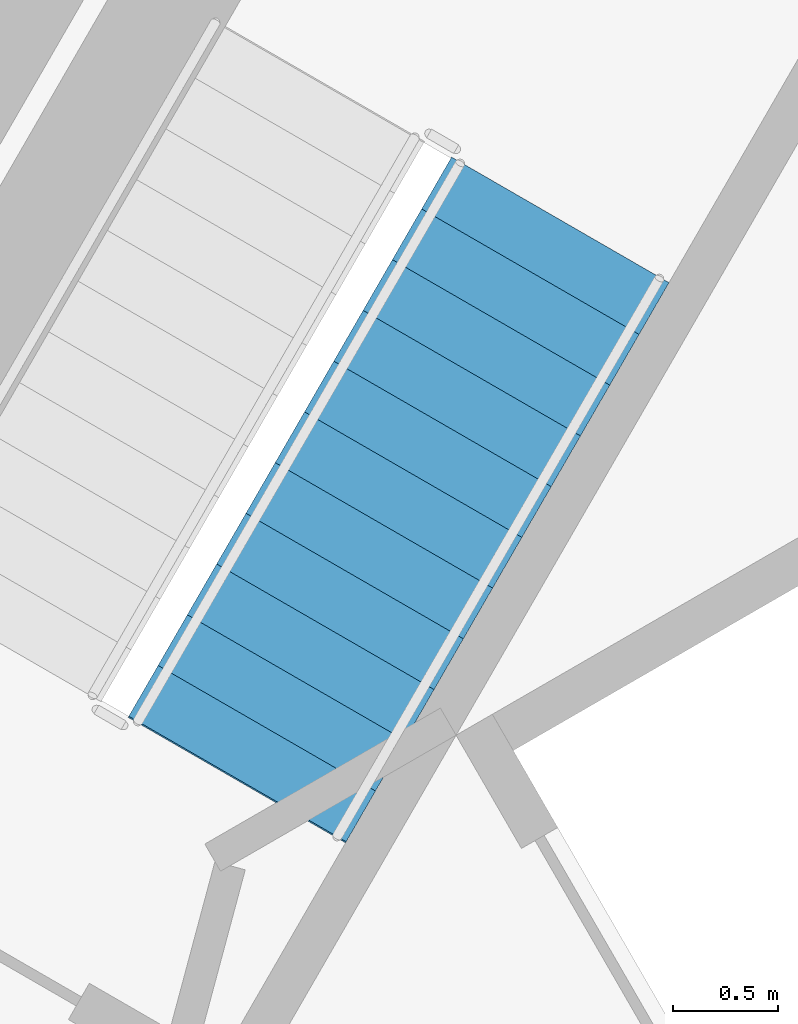
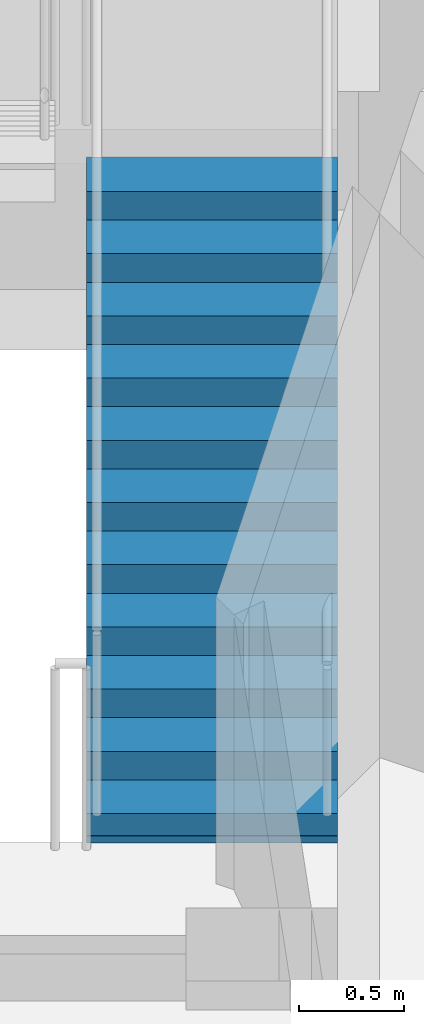
# One storey, part 9 of 13: 1 stair flight, 1 element without a shape of its own.
"""IFC4 building model written with IfcOpenShell, lengths in metres."""

import ifcopenshell
import ifcopenshell.guid

model = None  # the IFC model being written
_history = None  # IfcOwnerHistory: only IFC2X3 demands one
_inside = {}  # id of a spatial element -> (the spatial element, [elements in it])
_under = {}  # id of a project, library or spatial element -> (it, [spatial elements below it])
_declared = {}  # id of a project -> (the project, [libraries it declares])
_typed = {}  # id of a type object -> (the type object, [elements of that type])
_made_of = {}  # id of a material, layer set ... -> (it, [elements and type objects made of it])


def new_model(schema):
    """Start an empty IFC model of exactly this schema.

    Asked for "IFC4X3", IfcOpenShell would pick the latest addendum, in which some entities
    have other attributes; the version numbers below select the first issue.
    IFC2X3 requires an IfcOwnerHistory on every rooted entity: one is made here for all.
    """
    global model, _history
    if schema == "IFC4X3":
        model = ifcopenshell.file(schema_version=(4, 3, 0, 0))
    else:
        model = ifcopenshell.file(schema=schema)
    _inside.clear()
    _under.clear()
    _declared.clear()
    _typed.clear()
    _made_of.clear()
    _history = None
    if model.schema == "IFC2X3":
        org = make("IfcOrganization", Name="unknown")
        user = make(
            "IfcPersonAndOrganization",
            ThePerson=make("IfcPerson", FamilyName="unknown"),
            TheOrganization=org,
        )
        app = make(
            "IfcApplication",
            ApplicationDeveloper=org,
            Version="unknown",
            ApplicationFullName="unknown",
            ApplicationIdentifier="unknown",
        )
        _history = make(
            "IfcOwnerHistory",
            OwningUser=user,
            OwningApplication=app,
            ChangeAction="ADDED",
            CreationDate=0,
        )
    return model


def make(cls, **values):
    """One entity of the class cls with the attributes given. An attribute that is None is left unset."""
    return model.create_entity(
        cls, **{name: value for name, value in values.items() if value is not None}
    )


def rooted(cls, **values):
    """An entity with a GlobalId (a new one), such as an element, a storey or a relation."""
    return make(cls, GlobalId=ifcopenshell.guid.new(), OwnerHistory=_history, **values)


def si_unit(unit_type, name, prefix=None):
    """IfcSIUnit, for example si_unit("LENGTHUNIT", "METRE", prefix="MILLI")."""
    return make("IfcSIUnit", UnitType=unit_type, Prefix=prefix, Name=name)


def assignment(units):
    """IfcUnitAssignment: the units of a project."""
    return None if units is None else make("IfcUnitAssignment", Units=units)


def point(xyz):
    """IfcCartesianPoint."""
    return None if xyz is None else make("IfcCartesianPoint", Coordinates=xyz)


def direction(xyz):
    """IfcDirection."""
    return None if xyz is None else make("IfcDirection", DirectionRatios=xyz)


def frame(location, z_axis=None, x_axis=None):
    """IfcAxis2Placement3D, a coordinate frame: its origin and axes. An axis left out is left unset."""
    return make(
        "IfcAxis2Placement3D",
        Location=point(location),
        Axis=direction(z_axis),
        RefDirection=direction(x_axis),
    )


def origin():
    """The frame at (0, 0, 0) with its axes left unset."""
    return frame((0.0, 0.0, 0.0))


def place(relative_to, where):
    """IfcLocalPlacement: puts the frame where relative to a parent placement (None: the world)."""
    return make(
        "IfcLocalPlacement", PlacementRelTo=relative_to, RelativePlacement=where
    )


def context(
    kind, dimensions, precision=None, world=None, true_north=None, identifier=None
):
    """IfcGeometricRepresentationContext, for example the 3D "Model" context."""
    return make(
        "IfcGeometricRepresentationContext",
        ContextIdentifier=identifier,
        ContextType=kind,
        CoordinateSpaceDimension=dimensions,
        Precision=precision,
        WorldCoordinateSystem=world,
        TrueNorth=true_north,
    )


def subcontext(parent, identifier, kind, view, scale=None):
    """IfcGeometricRepresentationSubContext, for example "Body" below "Model"."""
    return make(
        "IfcGeometricRepresentationSubContext",
        ContextIdentifier=identifier,
        ContextType=kind,
        ParentContext=parent,
        TargetScale=scale,
        TargetView=view,
    )


def project(units=None, contexts=None):
    """IfcProject with its units and contexts."""
    return rooted(
        "IfcProject",
        Name="project",
        RepresentationContexts=contexts,
        UnitsInContext=assignment(units),
    )


def spatial(cls, under=None, at=None, **own):
    """A site, building, storey or space (cls), placed at a placement, below another one or the project."""
    s = rooted(cls, ObjectPlacement=at, **own)
    if under is not None:
        _under.setdefault(under.id(), (under, []))[1].append(s)
    return s


def polyline(points):
    """IfcPolyline through the points."""
    return make("IfcPolyline", Points=[point(p) for p in points])


def outline(outer, holes=None, kind="AREA"):
    """IfcArbitraryClosedProfileDef: a profile drawn as a closed curve; with holes, ...WithVoids."""
    if holes is None:
        return make("IfcArbitraryClosedProfileDef", ProfileType=kind, OuterCurve=outer)
    return make(
        "IfcArbitraryProfileDefWithVoids",
        ProfileType=kind,
        OuterCurve=outer,
        InnerCurves=holes,
    )


def extrude(swept, where, along, depth):
    """IfcExtrudedAreaSolid: the profile swept, set in the frame where, extruded along a direction by depth."""
    return make(
        "IfcExtrudedAreaSolid",
        SweptArea=swept,
        Position=where,
        ExtrudedDirection=direction(along),
        Depth=depth,
    )


def shape(context_of_items, identifier, shape_type, items):
    """IfcShapeRepresentation: the items that make up one representation, for example the "Body"."""
    return make(
        "IfcShapeRepresentation",
        ContextOfItems=context_of_items,
        RepresentationIdentifier=identifier,
        RepresentationType=shape_type,
        Items=items,
    )


def material(Name=None, Category=None):
    """IfcMaterial."""
    return make("IfcMaterial", Name=Name, Category=Category)


def layer(
    of_material, thickness, ventilated=None, Name=None, Category=None, Priority=None
):
    """IfcMaterialLayer: one layer of a wall or slab, of a material (None: an air gap)."""
    return make(
        "IfcMaterialLayer",
        Material=of_material,
        LayerThickness=thickness,
        IsVentilated=ventilated,
        Name=Name,
        Category=Category,
        Priority=Priority,
    )


def layer_set(layers, Name=None):
    """IfcMaterialLayerSet."""
    return make("IfcMaterialLayerSet", MaterialLayers=layers, LayerSetName=Name)


def made_of(thing, what):
    """Note that an element or type object is made of a material, layer set ...; save() writes the relation."""
    if what is not None:
        _made_of.setdefault(what.id(), (what, []))[1].append(thing)
    return thing


def type_object(cls, material=None, **own):
    """A type object (cls), such as IfcWallType, which elements share."""
    return made_of(rooted(cls, **own), material)


def element(
    cls,
    number,
    at=None,
    inside=None,
    cuts=None,
    type_object=None,
    material=None,
    context=None,
    identifier="Body",
    shape_type=None,
    held_by="IfcProductDefinitionShape",
    body=None,
    shapes=None,
    **own,
):
    """One element of the class cls, such as IfcWall. Its Tag is "e" and its number.

    at: its placement. inside: the storey or other place that contains it. cuts: it is an
    opening in that element (IfcRelVoidsElement). A single representation is given by context,
    identifier, shape_type and body (its items); several are given by shapes. held_by: the class
    of the entity that holds the representations. save() writes the other relations.
    """
    e = rooted(cls, Tag="e%d" % number, ObjectPlacement=at, **own)
    if body is not None:
        shapes = [shape(context, identifier, shape_type, body)]
    if shapes is not None:
        e.Representation = make(held_by, Representations=shapes)
    if inside is not None:
        _inside.setdefault(inside.id(), (inside, []))[1].append(e)
    if cuts is not None:
        rooted(
            "IfcRelVoidsElement", RelatingBuildingElement=cuts, RelatedOpeningElement=e
        )
    if type_object is not None:
        _typed.setdefault(type_object.id(), (type_object, []))[1].append(e)
    return made_of(e, material)


def aggregate(whole, parts):
    """IfcRelAggregates: a whole, such as a stair, and the parts it consists of."""
    return rooted("IfcRelAggregates", RelatingObject=whole, RelatedObjects=parts)


def save(model, path):
    """Write the relations noted so far, then the file.

    IfcRelAggregates (storeys below a building ...), IfcRelContainedInSpatialStructure (elements
    in a storey), IfcRelDefinesByType, IfcRelAssociatesMaterial and IfcRelDeclares: one each for
    every whole, place, type object, material and project.
    """
    for whole, parts in _under.values():
        aggregate(whole, parts)
    for where, things in _inside.values():
        rooted(
            "IfcRelContainedInSpatialStructure",
            RelatedElements=things,
            RelatingStructure=where,
        )
    for kind, things in _typed.values():
        rooted("IfcRelDefinesByType", RelatedObjects=things, RelatingType=kind)
    for what, things in _made_of.values():
        rooted("IfcRelAssociatesMaterial", RelatedObjects=things, RelatingMaterial=what)
    for by, libraries in _declared.values():
        rooted("IfcRelDeclares", RelatingContext=by, RelatedDefinitions=libraries)
    model.write(path)


model = new_model("IFC4")

# Units and contexts
model_context = context("Model", 3, precision=1e-05, world=origin(), true_north=direction((0.0, 1.0)))
body_context = subcontext(model_context, "Body", "Model", "MODEL_VIEW")
ifc_project = project(units=[si_unit("LENGTHUNIT", "METRE"), si_unit("AREAUNIT", "SQUARE_METRE"), si_unit("VOLUMEUNIT", "CUBIC_METRE"), si_unit("PLANEANGLEUNIT", "RADIAN"), si_unit("MASSUNIT", "GRAM", prefix="KILO")], contexts=[model_context])

# Site, building, storey
site_placement = place(None, origin())
site = spatial("IfcSite", under=ifc_project, at=site_placement, CompositionType="ELEMENT")
building_placement = place(site_placement, origin())
building = spatial("IfcBuilding", under=site, at=building_placement, Name="Tramontana Tower", CompositionType="ELEMENT")
storey_placement = place(building_placement, frame((0.0, 0.0, 228.0)))
storey = spatial("IfcBuildingStorey", under=building, at=storey_placement, Name="L53", CompositionType="ELEMENT", Elevation=228.0)

# Stair, stair flight
ifc_material_1 = material(Name="Concrete 40 MPa", Category="concrete")
stair_type = type_object("IfcStairType", Name="EXIT STAIR 24 RISERS", PredefinedType="HALF_TURN_STAIR", material=ifc_material_1)
stair_placement = place(storey_placement, origin())
stair = element("IfcStair", 1, at=stair_placement, inside=storey, type_object=stair_type, Name="L53 Exit stair ST1", PredefinedType="HALF_TURN_STAIR")
ifc_material_2 = material(Name="Concrete 40 MPa", Category="concrete")
ifc_layer = layer(ifc_material_2, 0.14990234375)
ifc_layer_set = layer_set([ifc_layer], Name="EXIT STAIR FLIGHT")
stair_flight_type = type_object("IfcStairFlightType", Name="EXIT STAIR FLIGHT", PredefinedType="STRAIGHT", material=ifc_layer_set)
stair_flight_placement = place(storey_placement, frame((-1.39111328125, 4.590576171875, 0.0), z_axis=(0.0, 0.0, 1.0), x_axis=(0.5, 0.866025403784, 0.0)))
stair_flight = element("IfcStairFlight", 2, at=stair_flight_placement, type_object=stair_flight_type, Name="ST1 flight 1", NumberOfRisers=12, NumberOfTreads=11, PredefinedType="STRAIGHT", RiserHeight=0.166666667, TreadLength=0.28, context=body_context, shape_type="SweptSolid", body=[
    extrude(outline(polyline([(-0.006103515625, 0.0), (-0.006103515625, 0.0400390625), (0.0, 0.0400390625), (0.0, 0.166748046875), (0.280029296875, 0.166748046875), (0.280029296875, 0.333251953125), (0.56005859375, 0.333251953125), (0.56005859375, 0.5), (0.840087890625, 0.5), (0.840087890625, 0.666748046875), (1.1201171875, 0.666748046875), (1.1201171875, 0.833251953125), (1.39990234375, 0.833251953125), (1.39990234375, 1.0), (1.679931640625, 1.0), (1.679931640625, 1.166748046875), (1.9599609375, 1.166748046875), (1.9599609375, 1.333251953125), (2.239990234375, 1.333251953125), (2.239990234375, 1.5), (2.52001953125, 1.5), (2.52001953125, 1.666748046875), (2.800048828125, 1.666748046875), (2.800048828125, 1.833251953125), (3.080078125, 1.833251953125), (3.0859375, 1.833251953125), (3.0859375, 1.658935546875), (0.299072265625, 0.0), (-0.006103515625, 0.0)])), frame((0.0, 0.60009765625, 0.0), z_axis=(0.0, -1.0, 0.0), x_axis=(1.0, 0.0, 0.0)), (0.0, 0.0, 1.0), 1.199951171875),
])
aggregate(stair, [stair_flight])

save(model, "model.ifc")
